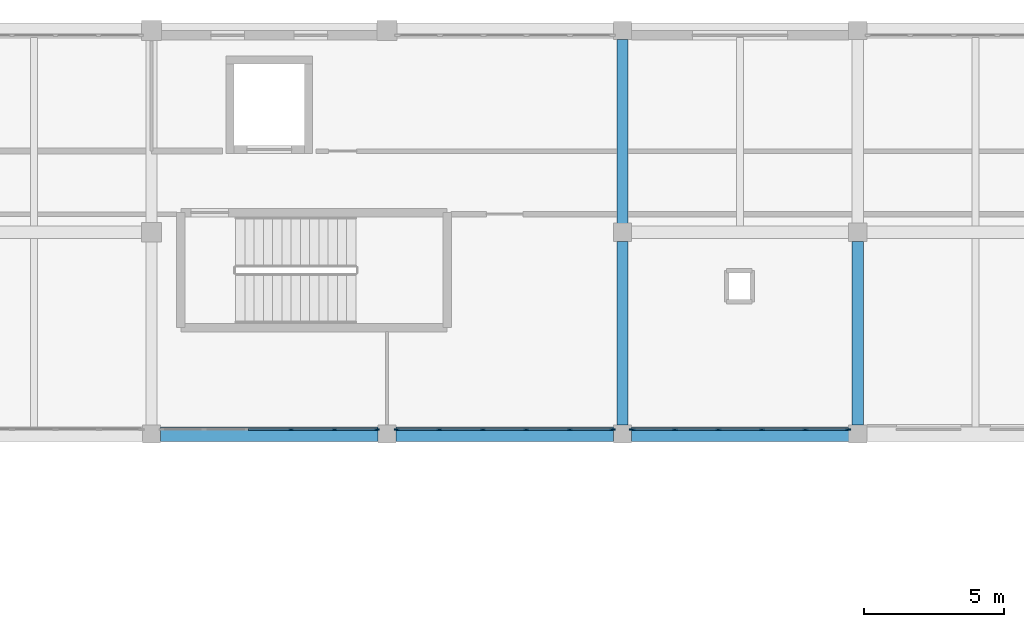
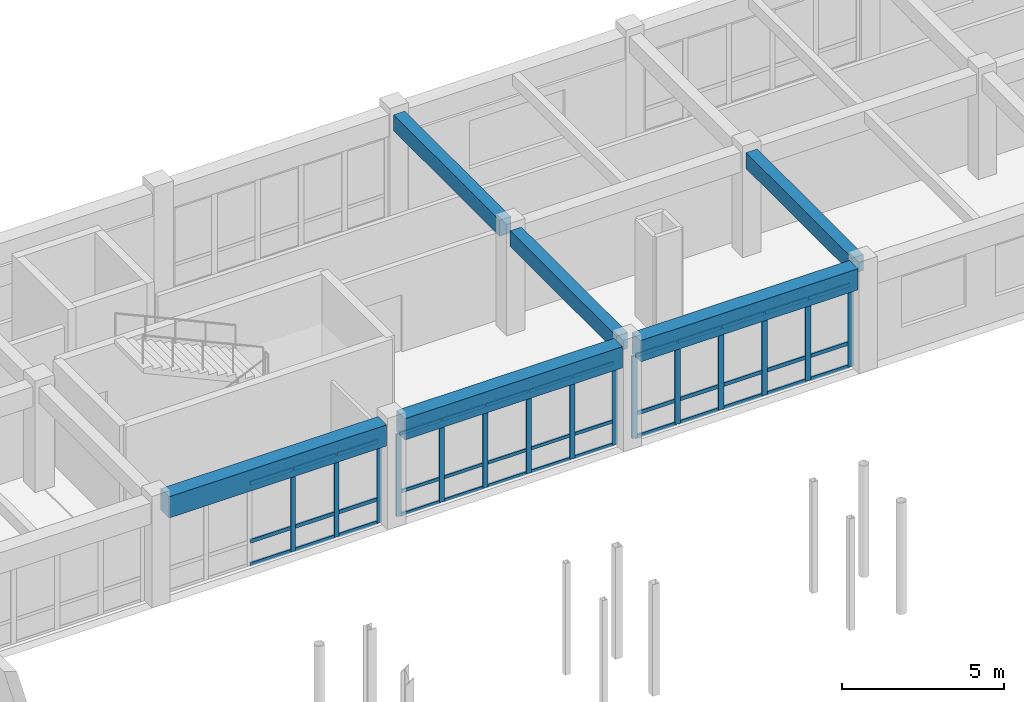
# One storey, part 77 of 147: 54 members, 6 beams, 3 elements without a shape of their own.
"""IFC4 building model written with IfcOpenShell, lengths in metres."""

from ifc_helpers import new_model, si_unit, direction, frame, origin, origin_2d, place, context, subcontext, project, spatial, rectangle, extrude, material, material_profile, profile_set, type_object, element, aggregate, save


model = new_model("IFC4")

# Units and contexts
model_context = context("Model", 3, precision=1e-05, world=origin(), true_north=direction((0.0, 1.0)))
body_context = subcontext(model_context, "Body", "Model", "MODEL_VIEW")
ifc_project = project(units=[si_unit("LENGTHUNIT", "METRE"), si_unit("AREAUNIT", "SQUARE_METRE"), si_unit("VOLUMEUNIT", "CUBIC_METRE"), si_unit("PLANEANGLEUNIT", "RADIAN"), si_unit("MASSUNIT", "GRAM", prefix="KILO")], contexts=[model_context])

# Site, building, storey
site_placement = place(None, origin())
site = spatial("IfcSite", under=ifc_project, at=site_placement, CompositionType="ELEMENT")
building_placement = place(site_placement, origin())
building = spatial("IfcBuilding", under=site, at=building_placement, Name="Malvenik Polytechnic", CompositionType="ELEMENT")
storey_placement = place(building_placement, frame((0.0, 0.0, 5.10009765625)))
storey = spatial("IfcBuildingStorey", under=building, at=storey_placement, Name="L01", CompositionType="ELEMENT", Elevation=5.10009765625)

# Curtain wall, members
ifc_material_1 = material(Name="Anodised aluminium 6060-T6", Category="aluminium")
curtain_wall_type = type_object("IfcCurtainWallType", Name="ARC-CW-CW-02", PredefinedType="NOTDEFINED", material=ifc_material_1)
curtain_wall_1_placement = place(storey_placement, origin())
curtain_wall_1 = element("IfcCurtainWall", 1, at=curtain_wall_1_placement, inside=storey, type_object=curtain_wall_type, Name="Unitised Curtain Wall CW-02 L01 #56", PredefinedType="NOTDEFINED")
ifc_material_2 = material(Name="Anodised aluminium", Category="aluminium")
ifc_material_profile_1 = material_profile(ifc_material_2, rectangle(XDim=0.06005859375, YDim=0.159912109375, at=origin_2d()), Name="ALU MULLION 60x160")
ifc_profile_set_1 = profile_set([ifc_material_profile_1], Name="Anodised aluminium")
member_type_1 = type_object("IfcMemberType", Name="ARC-CWM-160", PredefinedType="MULLION", material=ifc_profile_set_1)
member_1_placement = place(storey_placement, frame((100.447021484375, 115.3701171875, 0.0), z_axis=(0.0, 0.0, 1.0), x_axis=(0.0, -1.0, 0.0)))
member_1 = element("IfcMember", 2, at=member_1_placement, type_object=member_type_1, Name="CW-02 mullion 1", PredefinedType="MULLION", context=body_context, shape_type="SweptSolid", body=[
    extrude(rectangle(XDim=0.06005859375, YDim=0.159912109375, at=origin_2d()), origin(), (0.0, 0.0, 1.0), 3.10986328125),
])
member_2_placement = place(storey_placement, frame((98.92626953125, 115.3701171875, 0.0), z_axis=(0.0, 0.0, 1.0), x_axis=(0.0, -1.0, 0.0)))
member_2 = element("IfcMember", 3, at=member_2_placement, type_object=member_type_1, Name="CW-02 mullion 2", PredefinedType="MULLION", context=body_context, shape_type="SweptSolid", body=[
    extrude(rectangle(XDim=0.06005859375, YDim=0.159912109375, at=origin_2d()), origin(), (0.0, 0.0, 1.0), 3.10986328125),
])
member_3_placement = place(storey_placement, frame((97.37548828125, 115.3701171875, 0.0), z_axis=(0.0, 0.0, 1.0), x_axis=(0.0, -1.0, 0.0)))
member_3 = element("IfcMember", 4, at=member_3_placement, type_object=member_type_1, Name="CW-02 mullion 3", PredefinedType="MULLION", context=body_context, shape_type="SweptSolid", body=[
    extrude(rectangle(XDim=0.06005859375, YDim=0.159912109375, at=origin_2d()), origin(), (0.0, 0.0, 1.0), 3.10986328125),
])

curtain_wall_2_placement = place(storey_placement, origin())
curtain_wall_2 = element("IfcCurtainWall", 5, at=curtain_wall_2_placement, inside=storey, type_object=curtain_wall_type, Name="Unitised Curtain Wall CW-02 L01 #55", PredefinedType="NOTDEFINED")
ifc_material_profile_2 = material_profile(ifc_material_2, rectangle(XDim=0.06005859375, YDim=0.179931640625, at=origin_2d()), Name="ALU MULLION 60x180")
ifc_profile_set_2 = profile_set([ifc_material_profile_2], Name="Anodised aluminium")
member_type_2 = type_object("IfcMemberType", Name="ARC-CWM-180", PredefinedType="MULLION", material=ifc_profile_set_2)
member_4_placement = place(storey_placement, frame((108.846923828125, 115.3701171875, 0.0), z_axis=(0.0, 0.0, 1.0), x_axis=(0.0, -1.0, 0.0)))
member_4 = element("IfcMember", 6, at=member_4_placement, type_object=member_type_2, Name="CW-02 mullion 1", PredefinedType="MULLION", context=body_context, shape_type="SweptSolid", body=[
    extrude(rectangle(XDim=0.06005859375, YDim=0.179931640625, at=origin_2d()), origin(), (0.0, 0.0, 1.0), 3.10986328125),
])
member_5_placement = place(storey_placement, frame((107.326171875, 115.3701171875, 0.0), z_axis=(0.0, 0.0, 1.0), x_axis=(0.0, -1.0, 0.0)))
member_5 = element("IfcMember", 7, at=member_5_placement, type_object=member_type_2, Name="CW-02 mullion 2", PredefinedType="MULLION", context=body_context, shape_type="SweptSolid", body=[
    extrude(rectangle(XDim=0.06005859375, YDim=0.179931640625, at=origin_2d()), origin(), (0.0, 0.0, 1.0), 3.10986328125),
])
member_6_placement = place(storey_placement, frame((105.775390625, 115.3701171875, 0.0), z_axis=(0.0, 0.0, 1.0), x_axis=(0.0, -1.0, 0.0)))
member_6 = element("IfcMember", 8, at=member_6_placement, type_object=member_type_2, Name="CW-02 mullion 3", PredefinedType="MULLION", context=body_context, shape_type="SweptSolid", body=[
    extrude(rectangle(XDim=0.06005859375, YDim=0.179931640625, at=origin_2d()), origin(), (0.0, 0.0, 1.0), 3.10986328125),
])
member_7_placement = place(storey_placement, frame((104.224609375, 115.3701171875, 0.0), z_axis=(0.0, 0.0, 1.0), x_axis=(0.0, -1.0, 0.0)))
member_7 = element("IfcMember", 9, at=member_7_placement, type_object=member_type_2, Name="CW-02 mullion 4", PredefinedType="MULLION", context=body_context, shape_type="SweptSolid", body=[
    extrude(rectangle(XDim=0.06005859375, YDim=0.179931640625, at=origin_2d()), origin(), (0.0, 0.0, 1.0), 3.10986328125),
])
member_8_placement = place(storey_placement, frame((102.673828125, 115.3701171875, 0.0), z_axis=(0.0, 0.0, 1.0), x_axis=(0.0, -1.0, 0.0)))
member_8 = element("IfcMember", 10, at=member_8_placement, type_object=member_type_2, Name="CW-02 mullion 5", PredefinedType="MULLION", context=body_context, shape_type="SweptSolid", body=[
    extrude(rectangle(XDim=0.06005859375, YDim=0.179931640625, at=origin_2d()), origin(), (0.0, 0.0, 1.0), 3.10986328125),
])
member_9_placement = place(storey_placement, frame((101.153076171875, 115.3701171875, 0.0), z_axis=(0.0, 0.0, 1.0), x_axis=(0.0, -1.0, 0.0)))
member_9 = element("IfcMember", 11, at=member_9_placement, type_object=member_type_2, Name="CW-02 mullion 6", PredefinedType="MULLION", context=body_context, shape_type="SweptSolid", body=[
    extrude(rectangle(XDim=0.06005859375, YDim=0.179931640625, at=origin_2d()), origin(), (0.0, 0.0, 1.0), 3.10986328125),
])

curtain_wall_3_placement = place(storey_placement, origin())
curtain_wall_3 = element("IfcCurtainWall", 12, at=curtain_wall_3_placement, inside=storey, type_object=curtain_wall_type, Name="Unitised Curtain Wall CW-02 L01 #54", PredefinedType="NOTDEFINED")
ifc_material_profile_3 = material_profile(ifc_material_2, rectangle(XDim=0.06005859375, YDim=0.199951171875, at=origin_2d()), Name="ALU MULLION 60x200")
ifc_profile_set_3 = profile_set([ifc_material_profile_3], Name="Anodised aluminium")
member_type_3 = type_object("IfcMemberType", Name="ARC-CWM-200", PredefinedType="MULLION", material=ifc_profile_set_3)
member_10_placement = place(storey_placement, frame((117.2470703125, 115.3701171875, 0.0), z_axis=(0.0, 0.0, 1.0), x_axis=(0.0, -1.0, 0.0)))
member_10 = element("IfcMember", 13, at=member_10_placement, type_object=member_type_3, Name="CW-02 mullion 1", PredefinedType="MULLION", context=body_context, shape_type="SweptSolid", body=[
    extrude(rectangle(XDim=0.06005859375, YDim=0.199951171875, at=origin_2d()), origin(), (0.0, 0.0, 1.0), 3.10986328125),
])
member_11_placement = place(storey_placement, frame((115.726318359375, 115.3701171875, 0.0), z_axis=(0.0, 0.0, 1.0), x_axis=(0.0, -1.0, 0.0)))
member_11 = element("IfcMember", 14, at=member_11_placement, type_object=member_type_3, Name="CW-02 mullion 2", PredefinedType="MULLION", context=body_context, shape_type="SweptSolid", body=[
    extrude(rectangle(XDim=0.06005859375, YDim=0.199951171875, at=origin_2d()), origin(), (0.0, 0.0, 1.0), 3.10986328125),
])
member_12_placement = place(storey_placement, frame((114.17529296875, 115.3701171875, 0.0), z_axis=(0.0, 0.0, 1.0), x_axis=(0.0, -1.0, 0.0)))
member_12 = element("IfcMember", 15, at=member_12_placement, type_object=member_type_3, Name="CW-02 mullion 3", PredefinedType="MULLION", context=body_context, shape_type="SweptSolid", body=[
    extrude(rectangle(XDim=0.06005859375, YDim=0.199951171875, at=origin_2d()), origin(), (0.0, 0.0, 1.0), 3.10986328125),
])
member_13_placement = place(storey_placement, frame((112.62451171875, 115.3701171875, 0.0), z_axis=(0.0, 0.0, 1.0), x_axis=(0.0, -1.0, 0.0)))
member_13 = element("IfcMember", 16, at=member_13_placement, type_object=member_type_3, Name="CW-02 mullion 4", PredefinedType="MULLION", context=body_context, shape_type="SweptSolid", body=[
    extrude(rectangle(XDim=0.06005859375, YDim=0.199951171875, at=origin_2d()), origin(), (0.0, 0.0, 1.0), 3.10986328125),
])
member_14_placement = place(storey_placement, frame((111.07373046875, 115.3701171875, 0.0), z_axis=(0.0, 0.0, 1.0), x_axis=(0.0, -1.0, 0.0)))
member_14 = element("IfcMember", 17, at=member_14_placement, type_object=member_type_3, Name="CW-02 mullion 5", PredefinedType="MULLION", context=body_context, shape_type="SweptSolid", body=[
    extrude(rectangle(XDim=0.06005859375, YDim=0.199951171875, at=origin_2d()), origin(), (0.0, 0.0, 1.0), 3.10986328125),
])
member_15_placement = place(storey_placement, frame((109.552978515625, 115.3701171875, 0.0), z_axis=(0.0, 0.0, 1.0), x_axis=(0.0, -1.0, 0.0)))
member_15 = element("IfcMember", 18, at=member_15_placement, type_object=member_type_3, Name="CW-02 mullion 6", PredefinedType="MULLION", context=body_context, shape_type="SweptSolid", body=[
    extrude(rectangle(XDim=0.06005859375, YDim=0.199951171875, at=origin_2d()), origin(), (0.0, 0.0, 1.0), 3.10986328125),
])

# Member
ifc_material_profile_4 = material_profile(ifc_material_2, rectangle(XDim=0.06005859375, YDim=0.1201171875, at=origin_2d()), Name="ALU TRANSOM 60x120")
ifc_profile_set_4 = profile_set([ifc_material_profile_4], Name="Anodised aluminium")
member_type_4 = type_object("IfcMemberType", Name="ARC-CWT-120", PredefinedType="USERDEFINED", material=ifc_profile_set_4)
member_16_placement = place(storey_placement, frame((108.81689453125, 115.3701171875, 0.02978515625), z_axis=(-1.0, 0.0, 0.0), x_axis=(0.0, -1.0, 0.0)))
member_16 = element("IfcMember", 19, at=member_16_placement, type_object=member_type_4, Name="CW-02 transom 1.1", ObjectType="TRANSOM", PredefinedType="USERDEFINED", context=body_context, shape_type="SweptSolid", body=[
    extrude(rectangle(XDim=0.06005859375, YDim=0.1201171875, at=origin_2d()), origin(), (0.0, 0.0, 1.0), 1.460693359375),
])

member_17_placement = place(storey_placement, frame((108.81689453125, 115.3701171875, 0.89990234375), z_axis=(-1.0, 0.0, 0.0), x_axis=(0.0, -1.0, 0.0)))
member_17 = element("IfcMember", 20, at=member_17_placement, type_object=member_type_4, Name="CW-02 transom 1.2", ObjectType="TRANSOM", PredefinedType="USERDEFINED", context=body_context, shape_type="SweptSolid", body=[
    extrude(rectangle(XDim=0.06005859375, YDim=0.1201171875, at=origin_2d()), origin(), (0.0, 0.0, 1.0), 1.460693359375),
])

member_18_placement = place(storey_placement, frame((108.81689453125, 115.3701171875, 3.079833984375), z_axis=(-1.0, 0.0, 0.0), x_axis=(0.0, -1.0, 0.0)))
member_18 = element("IfcMember", 21, at=member_18_placement, type_object=member_type_4, Name="CW-02 transom 1.3", ObjectType="TRANSOM", PredefinedType="USERDEFINED", context=body_context, shape_type="SweptSolid", body=[
    extrude(rectangle(XDim=0.06005859375, YDim=0.1201171875, at=origin_2d()), origin(), (0.0, 0.0, 1.0), 1.460693359375),
])

member_19_placement = place(storey_placement, frame((107.296142578125, 115.3701171875, 0.02978515625), z_axis=(-1.0, 0.0, 0.0), x_axis=(0.0, -1.0, 0.0)))
member_19 = element("IfcMember", 22, at=member_19_placement, type_object=member_type_4, Name="CW-02 transom 2.1", ObjectType="TRANSOM", PredefinedType="USERDEFINED", context=body_context, shape_type="SweptSolid", body=[
    extrude(rectangle(XDim=0.06005859375, YDim=0.1201171875, at=origin_2d()), origin(), (0.0, 0.0, 1.0), 1.49072265625),
])

member_20_placement = place(storey_placement, frame((107.296142578125, 115.3701171875, 0.89990234375), z_axis=(-1.0, 0.0, 0.0), x_axis=(0.0, -1.0, 0.0)))
member_20 = element("IfcMember", 23, at=member_20_placement, type_object=member_type_4, Name="CW-02 transom 2.2", ObjectType="TRANSOM", PredefinedType="USERDEFINED", context=body_context, shape_type="SweptSolid", body=[
    extrude(rectangle(XDim=0.06005859375, YDim=0.1201171875, at=origin_2d()), origin(), (0.0, 0.0, 1.0), 1.49072265625),
])

member_21_placement = place(storey_placement, frame((107.296142578125, 115.3701171875, 3.079833984375), z_axis=(-1.0, 0.0, 0.0), x_axis=(0.0, -1.0, 0.0)))
member_21 = element("IfcMember", 24, at=member_21_placement, type_object=member_type_4, Name="CW-02 transom 2.3", ObjectType="TRANSOM", PredefinedType="USERDEFINED", context=body_context, shape_type="SweptSolid", body=[
    extrude(rectangle(XDim=0.06005859375, YDim=0.1201171875, at=origin_2d()), origin(), (0.0, 0.0, 1.0), 1.49072265625),
])

member_22_placement = place(storey_placement, frame((105.745361328125, 115.3701171875, 0.02978515625), z_axis=(-1.0, 0.0, 0.0), x_axis=(0.0, -1.0, 0.0)))
member_22 = element("IfcMember", 25, at=member_22_placement, type_object=member_type_4, Name="CW-02 transom 3.1", ObjectType="TRANSOM", PredefinedType="USERDEFINED", context=body_context, shape_type="SweptSolid", body=[
    extrude(rectangle(XDim=0.06005859375, YDim=0.1201171875, at=origin_2d()), origin(), (0.0, 0.0, 1.0), 1.49072265625),
])

member_23_placement = place(storey_placement, frame((105.745361328125, 115.3701171875, 0.89990234375), z_axis=(-1.0, 0.0, 0.0), x_axis=(0.0, -1.0, 0.0)))
member_23 = element("IfcMember", 26, at=member_23_placement, type_object=member_type_4, Name="CW-02 transom 3.2", ObjectType="TRANSOM", PredefinedType="USERDEFINED", context=body_context, shape_type="SweptSolid", body=[
    extrude(rectangle(XDim=0.06005859375, YDim=0.1201171875, at=origin_2d()), origin(), (0.0, 0.0, 1.0), 1.49072265625),
])

member_24_placement = place(storey_placement, frame((105.745361328125, 115.3701171875, 3.079833984375), z_axis=(-1.0, 0.0, 0.0), x_axis=(0.0, -1.0, 0.0)))
member_24 = element("IfcMember", 27, at=member_24_placement, type_object=member_type_4, Name="CW-02 transom 3.3", ObjectType="TRANSOM", PredefinedType="USERDEFINED", context=body_context, shape_type="SweptSolid", body=[
    extrude(rectangle(XDim=0.06005859375, YDim=0.1201171875, at=origin_2d()), origin(), (0.0, 0.0, 1.0), 1.49072265625),
])

member_25_placement = place(storey_placement, frame((104.194580078125, 115.3701171875, 0.02978515625), z_axis=(-1.0, 0.0, 0.0), x_axis=(0.0, -1.0, 0.0)))
member_25 = element("IfcMember", 28, at=member_25_placement, type_object=member_type_4, Name="CW-02 transom 4.1", ObjectType="TRANSOM", PredefinedType="USERDEFINED", context=body_context, shape_type="SweptSolid", body=[
    extrude(rectangle(XDim=0.06005859375, YDim=0.1201171875, at=origin_2d()), origin(), (0.0, 0.0, 1.0), 1.49072265625),
])

member_26_placement = place(storey_placement, frame((104.194580078125, 115.3701171875, 0.89990234375), z_axis=(-1.0, 0.0, 0.0), x_axis=(0.0, -1.0, 0.0)))
member_26 = element("IfcMember", 29, at=member_26_placement, type_object=member_type_4, Name="CW-02 transom 4.2", ObjectType="TRANSOM", PredefinedType="USERDEFINED", context=body_context, shape_type="SweptSolid", body=[
    extrude(rectangle(XDim=0.06005859375, YDim=0.1201171875, at=origin_2d()), origin(), (0.0, 0.0, 1.0), 1.49072265625),
])

member_27_placement = place(storey_placement, frame((104.194580078125, 115.3701171875, 3.079833984375), z_axis=(-1.0, 0.0, 0.0), x_axis=(0.0, -1.0, 0.0)))
member_27 = element("IfcMember", 30, at=member_27_placement, type_object=member_type_4, Name="CW-02 transom 4.3", ObjectType="TRANSOM", PredefinedType="USERDEFINED", context=body_context, shape_type="SweptSolid", body=[
    extrude(rectangle(XDim=0.06005859375, YDim=0.1201171875, at=origin_2d()), origin(), (0.0, 0.0, 1.0), 1.49072265625),
])

member_28_placement = place(storey_placement, frame((102.643798828125, 115.3701171875, 0.02978515625), z_axis=(-1.0, 0.0, 0.0), x_axis=(0.0, -1.0, 0.0)))
member_28 = element("IfcMember", 31, at=member_28_placement, type_object=member_type_4, Name="CW-02 transom 5.1", ObjectType="TRANSOM", PredefinedType="USERDEFINED", context=body_context, shape_type="SweptSolid", body=[
    extrude(rectangle(XDim=0.06005859375, YDim=0.1201171875, at=origin_2d()), origin(), (0.0, 0.0, 1.0), 1.460693359375),
])

member_29_placement = place(storey_placement, frame((102.643798828125, 115.3701171875, 0.89990234375), z_axis=(-1.0, 0.0, 0.0), x_axis=(0.0, -1.0, 0.0)))
member_29 = element("IfcMember", 32, at=member_29_placement, type_object=member_type_4, Name="CW-02 transom 5.2", ObjectType="TRANSOM", PredefinedType="USERDEFINED", context=body_context, shape_type="SweptSolid", body=[
    extrude(rectangle(XDim=0.06005859375, YDim=0.1201171875, at=origin_2d()), origin(), (0.0, 0.0, 1.0), 1.460693359375),
])

member_30_placement = place(storey_placement, frame((102.643798828125, 115.3701171875, 3.079833984375), z_axis=(-1.0, 0.0, 0.0), x_axis=(0.0, -1.0, 0.0)))
member_30 = element("IfcMember", 33, at=member_30_placement, type_object=member_type_4, Name="CW-02 transom 5.3", ObjectType="TRANSOM", PredefinedType="USERDEFINED", context=body_context, shape_type="SweptSolid", body=[
    extrude(rectangle(XDim=0.06005859375, YDim=0.1201171875, at=origin_2d()), origin(), (0.0, 0.0, 1.0), 1.460693359375),
])

aggregate(curtain_wall_2, [member_4, member_5, member_6, member_7, member_8, member_9, member_16, member_17, member_18, member_19, member_20, member_21, member_22, member_23, member_24, member_25, member_26, member_27, member_28, member_29, member_30])

ifc_material_profile_5 = material_profile(ifc_material_2, rectangle(XDim=0.06005859375, YDim=0.139892578125, at=origin_2d()), Name="ALU TRANSOM 60x140")
ifc_profile_set_5 = profile_set([ifc_material_profile_5], Name="Anodised aluminium")
member_type_5 = type_object("IfcMemberType", Name="ARC-CWT-140", PredefinedType="USERDEFINED", material=ifc_profile_set_5)
member_31_placement = place(storey_placement, frame((117.217041015625, 115.3701171875, 0.02978515625), z_axis=(-1.0, 0.0, 0.0), x_axis=(0.0, -1.0, 0.0)))
member_31 = element("IfcMember", 34, at=member_31_placement, type_object=member_type_5, Name="CW-02 transom 1.1", ObjectType="TRANSOM", PredefinedType="USERDEFINED", context=body_context, shape_type="SweptSolid", body=[
    extrude(rectangle(XDim=0.06005859375, YDim=0.139892578125, at=origin_2d()), origin(), (0.0, 0.0, 1.0), 1.4609375),
])

member_32_placement = place(storey_placement, frame((117.217041015625, 115.3701171875, 0.89990234375), z_axis=(-1.0, 0.0, 0.0), x_axis=(0.0, -1.0, 0.0)))
member_32 = element("IfcMember", 35, at=member_32_placement, type_object=member_type_5, Name="CW-02 transom 1.2", ObjectType="TRANSOM", PredefinedType="USERDEFINED", context=body_context, shape_type="SweptSolid", body=[
    extrude(rectangle(XDim=0.06005859375, YDim=0.139892578125, at=origin_2d()), origin(), (0.0, 0.0, 1.0), 1.4609375),
])

member_33_placement = place(storey_placement, frame((117.217041015625, 115.3701171875, 3.079833984375), z_axis=(-1.0, 0.0, 0.0), x_axis=(0.0, -1.0, 0.0)))
member_33 = element("IfcMember", 36, at=member_33_placement, type_object=member_type_5, Name="CW-02 transom 1.3", ObjectType="TRANSOM", PredefinedType="USERDEFINED", context=body_context, shape_type="SweptSolid", body=[
    extrude(rectangle(XDim=0.06005859375, YDim=0.139892578125, at=origin_2d()), origin(), (0.0, 0.0, 1.0), 1.4609375),
])

member_34_placement = place(storey_placement, frame((115.6962890625, 115.3701171875, 0.02978515625), z_axis=(-1.0, 0.0, 0.0), x_axis=(0.0, -1.0, 0.0)))
member_34 = element("IfcMember", 37, at=member_34_placement, type_object=member_type_5, Name="CW-02 transom 2.1", ObjectType="TRANSOM", PredefinedType="USERDEFINED", context=body_context, shape_type="SweptSolid", body=[
    extrude(rectangle(XDim=0.06005859375, YDim=0.139892578125, at=origin_2d()), origin(), (0.0, 0.0, 1.0), 1.490966796875),
])

member_35_placement = place(storey_placement, frame((115.6962890625, 115.3701171875, 0.89990234375), z_axis=(-1.0, 0.0, 0.0), x_axis=(0.0, -1.0, 0.0)))
member_35 = element("IfcMember", 38, at=member_35_placement, type_object=member_type_5, Name="CW-02 transom 2.2", ObjectType="TRANSOM", PredefinedType="USERDEFINED", context=body_context, shape_type="SweptSolid", body=[
    extrude(rectangle(XDim=0.06005859375, YDim=0.139892578125, at=origin_2d()), origin(), (0.0, 0.0, 1.0), 1.490966796875),
])

member_36_placement = place(storey_placement, frame((115.6962890625, 115.3701171875, 3.079833984375), z_axis=(-1.0, 0.0, 0.0), x_axis=(0.0, -1.0, 0.0)))
member_36 = element("IfcMember", 39, at=member_36_placement, type_object=member_type_5, Name="CW-02 transom 2.3", ObjectType="TRANSOM", PredefinedType="USERDEFINED", context=body_context, shape_type="SweptSolid", body=[
    extrude(rectangle(XDim=0.06005859375, YDim=0.139892578125, at=origin_2d()), origin(), (0.0, 0.0, 1.0), 1.490966796875),
])

member_37_placement = place(storey_placement, frame((114.1455078125, 115.3701171875, 0.02978515625), z_axis=(-1.0, 0.0, 0.0), x_axis=(0.0, -1.0, 0.0)))
member_37 = element("IfcMember", 40, at=member_37_placement, type_object=member_type_5, Name="CW-02 transom 3.1", ObjectType="TRANSOM", PredefinedType="USERDEFINED", context=body_context, shape_type="SweptSolid", body=[
    extrude(rectangle(XDim=0.06005859375, YDim=0.139892578125, at=origin_2d()), origin(), (0.0, 0.0, 1.0), 1.490966796875),
])

member_38_placement = place(storey_placement, frame((114.1455078125, 115.3701171875, 0.89990234375), z_axis=(-1.0, 0.0, 0.0), x_axis=(0.0, -1.0, 0.0)))
member_38 = element("IfcMember", 41, at=member_38_placement, type_object=member_type_5, Name="CW-02 transom 3.2", ObjectType="TRANSOM", PredefinedType="USERDEFINED", context=body_context, shape_type="SweptSolid", body=[
    extrude(rectangle(XDim=0.06005859375, YDim=0.139892578125, at=origin_2d()), origin(), (0.0, 0.0, 1.0), 1.490966796875),
])

member_39_placement = place(storey_placement, frame((114.1455078125, 115.3701171875, 3.079833984375), z_axis=(-1.0, 0.0, 0.0), x_axis=(0.0, -1.0, 0.0)))
member_39 = element("IfcMember", 42, at=member_39_placement, type_object=member_type_5, Name="CW-02 transom 3.3", ObjectType="TRANSOM", PredefinedType="USERDEFINED", context=body_context, shape_type="SweptSolid", body=[
    extrude(rectangle(XDim=0.06005859375, YDim=0.139892578125, at=origin_2d()), origin(), (0.0, 0.0, 1.0), 1.490966796875),
])

member_40_placement = place(storey_placement, frame((112.594482421875, 115.3701171875, 0.02978515625), z_axis=(-1.0, 0.0, 0.0), x_axis=(0.0, -1.0, 0.0)))
member_40 = element("IfcMember", 43, at=member_40_placement, type_object=member_type_5, Name="CW-02 transom 4.1", ObjectType="TRANSOM", PredefinedType="USERDEFINED", context=body_context, shape_type="SweptSolid", body=[
    extrude(rectangle(XDim=0.06005859375, YDim=0.139892578125, at=origin_2d()), origin(), (0.0, 0.0, 1.0), 1.49072265625),
])

member_41_placement = place(storey_placement, frame((112.594482421875, 115.3701171875, 0.89990234375), z_axis=(-1.0, 0.0, 0.0), x_axis=(0.0, -1.0, 0.0)))
member_41 = element("IfcMember", 44, at=member_41_placement, type_object=member_type_5, Name="CW-02 transom 4.2", ObjectType="TRANSOM", PredefinedType="USERDEFINED", context=body_context, shape_type="SweptSolid", body=[
    extrude(rectangle(XDim=0.06005859375, YDim=0.139892578125, at=origin_2d()), origin(), (0.0, 0.0, 1.0), 1.49072265625),
])

member_42_placement = place(storey_placement, frame((112.594482421875, 115.3701171875, 3.079833984375), z_axis=(-1.0, 0.0, 0.0), x_axis=(0.0, -1.0, 0.0)))
member_42 = element("IfcMember", 45, at=member_42_placement, type_object=member_type_5, Name="CW-02 transom 4.3", ObjectType="TRANSOM", PredefinedType="USERDEFINED", context=body_context, shape_type="SweptSolid", body=[
    extrude(rectangle(XDim=0.06005859375, YDim=0.139892578125, at=origin_2d()), origin(), (0.0, 0.0, 1.0), 1.49072265625),
])

member_43_placement = place(storey_placement, frame((111.043701171875, 115.3701171875, 0.02978515625), z_axis=(-1.0, 0.0, 0.0), x_axis=(0.0, -1.0, 0.0)))
member_43 = element("IfcMember", 46, at=member_43_placement, type_object=member_type_5, Name="CW-02 transom 5.1", ObjectType="TRANSOM", PredefinedType="USERDEFINED", context=body_context, shape_type="SweptSolid", body=[
    extrude(rectangle(XDim=0.06005859375, YDim=0.139892578125, at=origin_2d()), origin(), (0.0, 0.0, 1.0), 1.460693359375),
])

member_44_placement = place(storey_placement, frame((111.043701171875, 115.3701171875, 0.89990234375), z_axis=(-1.0, 0.0, 0.0), x_axis=(0.0, -1.0, 0.0)))
member_44 = element("IfcMember", 47, at=member_44_placement, type_object=member_type_5, Name="CW-02 transom 5.2", ObjectType="TRANSOM", PredefinedType="USERDEFINED", context=body_context, shape_type="SweptSolid", body=[
    extrude(rectangle(XDim=0.06005859375, YDim=0.139892578125, at=origin_2d()), origin(), (0.0, 0.0, 1.0), 1.460693359375),
])

member_45_placement = place(storey_placement, frame((111.043701171875, 115.3701171875, 3.079833984375), z_axis=(-1.0, 0.0, 0.0), x_axis=(0.0, -1.0, 0.0)))
member_45 = element("IfcMember", 48, at=member_45_placement, type_object=member_type_5, Name="CW-02 transom 5.3", ObjectType="TRANSOM", PredefinedType="USERDEFINED", context=body_context, shape_type="SweptSolid", body=[
    extrude(rectangle(XDim=0.06005859375, YDim=0.139892578125, at=origin_2d()), origin(), (0.0, 0.0, 1.0), 1.460693359375),
])

aggregate(curtain_wall_3, [member_10, member_11, member_12, member_13, member_14, member_15, member_31, member_32, member_33, member_34, member_35, member_36, member_37, member_38, member_39, member_40, member_41, member_42, member_43, member_44, member_45])

member_46_placement = place(storey_placement, frame((100.4169921875, 115.3701171875, 0.02978515625), z_axis=(-1.0, 0.0, 0.0), x_axis=(0.0, -1.0, 0.0)))
member_46 = element("IfcMember", 49, at=member_46_placement, type_object=member_type_5, Name="CW-02 transom 1.1", ObjectType="TRANSOM", PredefinedType="USERDEFINED", context=body_context, shape_type="SweptSolid", body=[
    extrude(rectangle(XDim=0.06005859375, YDim=0.139892578125, at=origin_2d()), origin(), (0.0, 0.0, 1.0), 1.460693359375),
])

member_47_placement = place(storey_placement, frame((100.4169921875, 115.3701171875, 0.89990234375), z_axis=(-1.0, 0.0, 0.0), x_axis=(0.0, -1.0, 0.0)))
member_47 = element("IfcMember", 50, at=member_47_placement, type_object=member_type_5, Name="CW-02 transom 1.2", ObjectType="TRANSOM", PredefinedType="USERDEFINED", context=body_context, shape_type="SweptSolid", body=[
    extrude(rectangle(XDim=0.06005859375, YDim=0.139892578125, at=origin_2d()), origin(), (0.0, 0.0, 1.0), 1.460693359375),
])

member_48_placement = place(storey_placement, frame((100.4169921875, 115.3701171875, 3.079833984375), z_axis=(-1.0, 0.0, 0.0), x_axis=(0.0, -1.0, 0.0)))
member_48 = element("IfcMember", 51, at=member_48_placement, type_object=member_type_5, Name="CW-02 transom 1.3", ObjectType="TRANSOM", PredefinedType="USERDEFINED", context=body_context, shape_type="SweptSolid", body=[
    extrude(rectangle(XDim=0.06005859375, YDim=0.139892578125, at=origin_2d()), origin(), (0.0, 0.0, 1.0), 1.460693359375),
])

member_49_placement = place(storey_placement, frame((98.896240234375, 115.3701171875, 0.02978515625), z_axis=(-1.0, 0.0, 0.0), x_axis=(0.0, -1.0, 0.0)))
member_49 = element("IfcMember", 52, at=member_49_placement, type_object=member_type_5, Name="CW-02 transom 2.1", ObjectType="TRANSOM", PredefinedType="USERDEFINED", context=body_context, shape_type="SweptSolid", body=[
    extrude(rectangle(XDim=0.06005859375, YDim=0.139892578125, at=origin_2d()), origin(), (0.0, 0.0, 1.0), 1.49072265625),
])

member_50_placement = place(storey_placement, frame((98.896240234375, 115.3701171875, 0.89990234375), z_axis=(-1.0, 0.0, 0.0), x_axis=(0.0, -1.0, 0.0)))
member_50 = element("IfcMember", 53, at=member_50_placement, type_object=member_type_5, Name="CW-02 transom 2.2", ObjectType="TRANSOM", PredefinedType="USERDEFINED", context=body_context, shape_type="SweptSolid", body=[
    extrude(rectangle(XDim=0.06005859375, YDim=0.139892578125, at=origin_2d()), origin(), (0.0, 0.0, 1.0), 1.49072265625),
])

member_51_placement = place(storey_placement, frame((98.896240234375, 115.3701171875, 3.079833984375), z_axis=(-1.0, 0.0, 0.0), x_axis=(0.0, -1.0, 0.0)))
member_51 = element("IfcMember", 54, at=member_51_placement, type_object=member_type_5, Name="CW-02 transom 2.3", ObjectType="TRANSOM", PredefinedType="USERDEFINED", context=body_context, shape_type="SweptSolid", body=[
    extrude(rectangle(XDim=0.06005859375, YDim=0.139892578125, at=origin_2d()), origin(), (0.0, 0.0, 1.0), 1.49072265625),
])

member_52_placement = place(storey_placement, frame((97.345458984375, 115.3701171875, 0.02978515625), z_axis=(-1.0, 0.0, 0.0), x_axis=(0.0, -1.0, 0.0)))
member_52 = element("IfcMember", 55, at=member_52_placement, type_object=member_type_5, Name="CW-02 transom 3.1", ObjectType="TRANSOM", PredefinedType="USERDEFINED", context=body_context, shape_type="SweptSolid", body=[
    extrude(rectangle(XDim=0.06005859375, YDim=0.139892578125, at=origin_2d()), origin(), (0.0, 0.0, 1.0), 1.490966796875),
])

member_53_placement = place(storey_placement, frame((97.345458984375, 115.3701171875, 0.89990234375), z_axis=(-1.0, 0.0, 0.0), x_axis=(0.0, -1.0, 0.0)))
member_53 = element("IfcMember", 56, at=member_53_placement, type_object=member_type_5, Name="CW-02 transom 3.2", ObjectType="TRANSOM", PredefinedType="USERDEFINED", context=body_context, shape_type="SweptSolid", body=[
    extrude(rectangle(XDim=0.06005859375, YDim=0.139892578125, at=origin_2d()), origin(), (0.0, 0.0, 1.0), 1.490966796875),
])

member_54_placement = place(storey_placement, frame((97.345458984375, 115.3701171875, 3.079833984375), z_axis=(-1.0, 0.0, 0.0), x_axis=(0.0, -1.0, 0.0)))
member_54 = element("IfcMember", 57, at=member_54_placement, type_object=member_type_5, Name="CW-02 transom 3.3", ObjectType="TRANSOM", PredefinedType="USERDEFINED", context=body_context, shape_type="SweptSolid", body=[
    extrude(rectangle(XDim=0.06005859375, YDim=0.139892578125, at=origin_2d()), origin(), (0.0, 0.0, 1.0), 1.490966796875),
])

aggregate(curtain_wall_1, [member_1, member_2, member_3, member_46, member_47, member_48, member_49, member_50, member_51, member_52, member_53, member_54])

# Beams
ifc_material_3 = material(Name="Concrete C35/45", Category="concrete")
ifc_material_profile_6 = material_profile(ifc_material_3, rectangle(XDim=0.39990234375, YDim=0.60009765625, at=origin_2d()), Name="RC BM 400x600")
ifc_profile_set_6 = profile_set([ifc_material_profile_6], Name="Concrete C35/45")
beam_type_1 = type_object("IfcBeamType", Name="STR-BM-B-06", PredefinedType="BEAM", material=ifc_profile_set_6)
beam_1_placement = place(storey_placement, frame((109.199951171875, 115.52294921875, 3.619873046875), z_axis=(0.0, 1.0, 0.0), x_axis=(-1.0, 0.0, 0.0)))
element("IfcBeam", 58, at=beam_1_placement, inside=storey, type_object=beam_type_1, Name="Transverse Beam B-06 L01 #1215", PredefinedType="BEAM", context=body_context, shape_type="SweptSolid", body=[
    extrude(rectangle(XDim=0.39990234375, YDim=0.60009765625, at=origin_2d()), origin(), (0.0, 0.0, 1.0), 6.553955078125),
])
beam_2_placement = place(storey_placement, frame((109.199951171875, 122.722900390625, 3.619873046875), z_axis=(0.0, 1.0, 0.0), x_axis=(-1.0, 0.0, 0.0)))
element("IfcBeam", 59, at=beam_2_placement, inside=storey, type_object=beam_type_1, Name="Transverse Beam B-06 L01 #1216", PredefinedType="BEAM", context=body_context, shape_type="SweptSolid", body=[
    extrude(rectangle(XDim=0.39990234375, YDim=0.60009765625, at=origin_2d()), origin(), (0.0, 0.0, 1.0), 6.55419921875),
])
beam_3_placement = place(storey_placement, frame((117.60009765625, 115.52294921875, 3.619873046875), z_axis=(0.0, 1.0, 0.0), x_axis=(-1.0, 0.0, 0.0)))
element("IfcBeam", 60, at=beam_3_placement, inside=storey, type_object=beam_type_1, Name="Transverse Beam B-06 L01 #1226", PredefinedType="BEAM", context=body_context, shape_type="SweptSolid", body=[
    extrude(rectangle(XDim=0.39990234375, YDim=0.60009765625, at=origin_2d()), origin(), (0.0, 0.0, 1.0), 6.553955078125),
])
ifc_material_4 = material(Name="Precast concrete C40/50", Category="concrete")
ifc_material_profile_7 = material_profile(ifc_material_4, rectangle(XDim=0.52001953125, YDim=0.800048828125, at=origin_2d()), Name="PC SPN 520x800")
ifc_profile_set_7 = profile_set([ifc_material_profile_7], Name="Precast concrete C40/50")
beam_type_2 = type_object("IfcBeamType", Name="STR-BM-SP-01", PredefinedType="SPANDREL", material=ifc_profile_set_7)
beam_4_placement = place(storey_placement, frame((92.722900390625, 115.199951171875, 3.52001953125), z_axis=(1.0, 0.0, 0.0), x_axis=(0.0, 1.0, 0.0)))
element("IfcBeam", 61, at=beam_4_placement, inside=storey, type_object=beam_type_2, Name="Primary Beam SP-01 L01 #1096", PredefinedType="SPANDREL", context=body_context, shape_type="SweptSolid", body=[
    extrude(rectangle(XDim=0.52001953125, YDim=0.800048828125, at=origin_2d()), origin(), (0.0, 0.0, 1.0), 7.754150390625),
])
beam_5_placement = place(storey_placement, frame((101.123046875, 115.199951171875, 3.52001953125), z_axis=(1.0, 0.0, 0.0), x_axis=(0.0, 1.0, 0.0)))
element("IfcBeam", 62, at=beam_5_placement, inside=storey, type_object=beam_type_2, Name="Primary Beam SP-01 L01 #1097", PredefinedType="SPANDREL", context=body_context, shape_type="SweptSolid", body=[
    extrude(rectangle(XDim=0.52001953125, YDim=0.800048828125, at=origin_2d()), origin(), (0.0, 0.0, 1.0), 7.75390625),
])
beam_6_placement = place(storey_placement, frame((109.52294921875, 115.199951171875, 3.52001953125), z_axis=(1.0, 0.0, 0.0), x_axis=(0.0, 1.0, 0.0)))
element("IfcBeam", 63, at=beam_6_placement, inside=storey, type_object=beam_type_2, Name="Primary Beam SP-01 L01 #1098", PredefinedType="SPANDREL", context=body_context, shape_type="SweptSolid", body=[
    extrude(rectangle(XDim=0.52001953125, YDim=0.800048828125, at=origin_2d()), origin(), (0.0, 0.0, 1.0), 7.754150390625),
])

save(model, "model.ifc")
